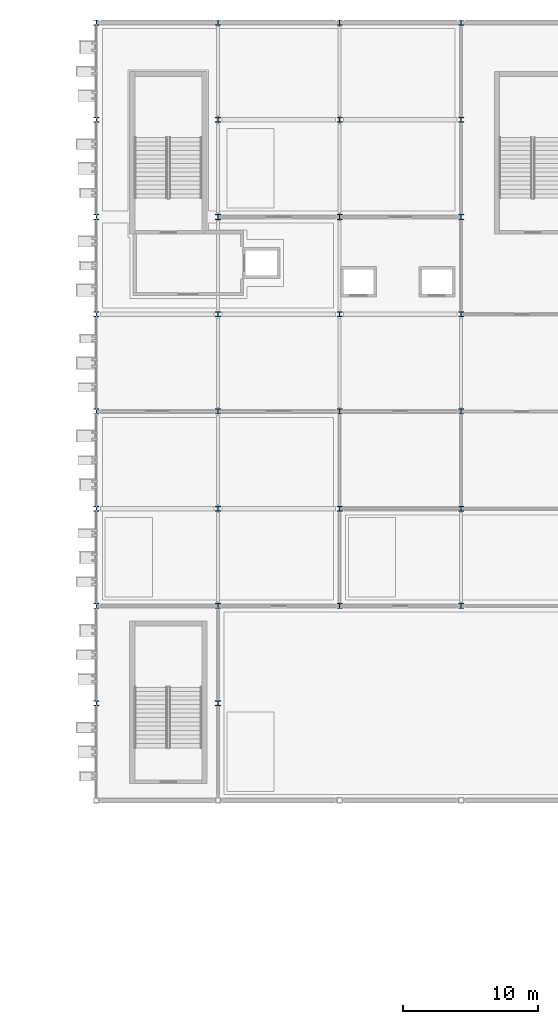
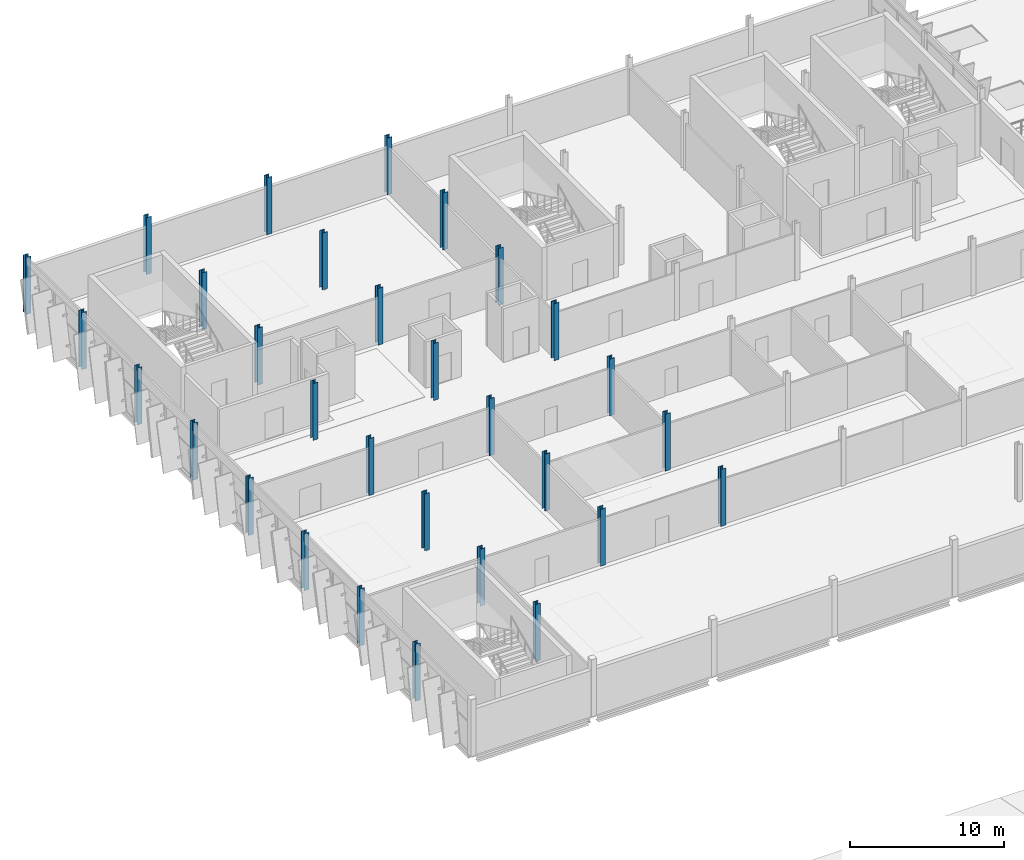
# One storey, part 3 of 78: 30 columns.
"""IFC4 building model written with IfcOpenShell, lengths in metres."""

from ifc_helpers import new_model, si_unit, direction, frame, origin, origin_2d, place, context, subcontext, project, spatial, i_section, extrude, material, material_profile, profile_set, type_object, element, save


model = new_model("IFC4")

# Units and contexts
model_context = context("Model", 3, precision=1e-05, world=origin(), true_north=direction((0.0, 1.0)))
body_context = subcontext(model_context, "Body", "Model", "MODEL_VIEW")
ifc_project = project(units=[si_unit("LENGTHUNIT", "METRE"), si_unit("AREAUNIT", "SQUARE_METRE"), si_unit("VOLUMEUNIT", "CUBIC_METRE"), si_unit("PLANEANGLEUNIT", "RADIAN"), si_unit("MASSUNIT", "GRAM", prefix="KILO")], contexts=[model_context])

# Site, building, storey
site_placement = place(None, origin())
site = spatial("IfcSite", under=ifc_project, at=site_placement, CompositionType="ELEMENT")
building_placement = place(site_placement, origin())
building = spatial("IfcBuilding", under=site, at=building_placement, Name="Celestram Park Convention Centre", CompositionType="ELEMENT")
storey_placement = place(building_placement, frame((0.0, 0.0, 19.800048828125)))
storey = spatial("IfcBuildingStorey", under=building, at=storey_placement, Name="L04", CompositionType="ELEMENT", Elevation=19.800048828125)

# Columns
ifc_material = material(Name="Steel ASTM A992 Grade 50", Category="steel")
ifc_material_profile = material_profile(ifc_material, i_section(OverallWidth=0.373046875, OverallDepth=0.373046875, WebThickness=0.016357421875, FlangeThickness=0.026123046875, at=origin_2d()), Name="W14X132")
ifc_profile_set = profile_set([ifc_material_profile], Name="Steel ASTM A992 Grade 50")
column_type = type_object("IfcColumnType", Name="STR-COL-W14X132", PredefinedType="COLUMN", material=ifc_profile_set)
for number, where, z_axis, x_axis, name in (
    (1, (36.0, 115.199951171875, 0.0), (0.0, 0.0, 1.0), (1.0, 0.0, 0.0), "Column CN-L04-002"),
    (2, (36.0, 122.39990234375, 0.0), (0.0, 0.0, 1.0), (1.0, 0.0, 0.0), "Column CN-L04-003"),
    (3, (36.0, 129.60009765625, 0.0), (0.0, 0.0, 1.0), (1.0, 0.0, 0.0), "Column CN-L04-004"),
    (4, (36.0, 136.800048828125, 0.0), (0.0, 0.0, 1.0), (1.0, 0.0, 0.0), "Column CN-L04-005"),
    (5, (36.0, 144.0, 0.0), (0.0, 0.0, 1.0), (1.0, 0.0, 0.0), "Column CN-L04-006"),
    (6, (36.0, 151.199951171875, 0.0), (0.0, 0.0, 1.0), (1.0, 0.0, 0.0), "Column CN-L04-007"),
    (7, (36.0, 158.39990234375, 0.0), (0.0, 0.0, 1.0), (1.0, 0.0, 0.0), "Column CN-L04-008"),
    (8, (36.0, 165.60009765625, 0.0), (0.0, 0.0, 1.0), (1.0, 0.0, 0.0), "Column CN-L04-009"),
    (9, (45.0, 115.199951171875, 0.0), (0.0, 0.0, 1.0), (1.0, 0.0, 0.0), "Column CN-L04-011"),
    (10, (45.0, 122.39990234375, 0.0), (0.0, 0.0, 1.0), (1.0, 0.0, 0.0), "Column CN-L04-012"),
    (11, (45.0, 129.60009765625, 0.0), (0.0, 0.0, 1.0), (1.0, 0.0, 0.0), "Column CN-L04-013"),
    (12, (45.0, 136.800048828125, 0.0), (0.0, 0.0, 1.0), (1.0, 0.0, 0.0), "Column CN-L04-014"),
    (13, (45.0, 144.0, 0.0), (0.0, 0.0, 1.0), (1.0, 0.0, 0.0), "Column CN-L04-015"),
    (14, (45.0, 151.199951171875, 0.0), (0.0, 0.0, 1.0), (1.0, 0.0, 0.0), "Column CN-L04-016"),
    (15, (45.0, 158.39990234375, 0.0), (0.0, 0.0, 1.0), (1.0, 0.0, 0.0), "Column CN-L04-017"),
    (16, (45.0, 165.60009765625, 0.0), (0.0, 0.0, 1.0), (1.0, 0.0, 0.0), "Column CN-L04-018"),
    (17, (54.0, 122.39990234375, 0.0), (0.0, 0.0, 1.0), (1.0, 0.0, 0.0), "Column CN-L04-020"),
    (18, (54.0, 129.60009765625, 0.0), (0.0, 0.0, 1.0), (1.0, 0.0, 0.0), "Column CN-L04-021"),
    (19, (54.0, 136.800048828125, 0.0), (0.0, 0.0, 1.0), (1.0, 0.0, 0.0), "Column CN-L04-022"),
    (20, (54.0, 144.0, 0.0), (0.0, 0.0, 1.0), (1.0, 0.0, 0.0), "Column CN-L04-023"),
    (21, (54.0, 151.199951171875, 0.0), (0.0, 0.0, 1.0), (1.0, 0.0, 0.0), "Column CN-L04-024"),
    (22, (54.0, 158.39990234375, 0.0), (0.0, 0.0, 1.0), (1.0, 0.0, 0.0), "Column CN-L04-025"),
    (23, (54.0, 165.60009765625, 0.0), (0.0, 0.0, 1.0), (1.0, 0.0, 0.0), "Column CN-L04-026"),
    (24, (63.0, 122.39990234375, 0.0), (0.0, 0.0, 1.0), (1.0, 0.0, 0.0), "Column CN-L04-028"),
    (25, (63.0, 129.60009765625, 0.0), (0.0, 0.0, 1.0), (1.0, 0.0, 0.0), "Column CN-L04-029"),
    (26, (63.0, 136.800048828125, 0.0), (0.0, 0.0, 1.0), (1.0, 0.0, 0.0), "Column CN-L04-030"),
    (27, (63.0, 144.0, 0.0), (0.0, 0.0, 1.0), (1.0, 0.0, 0.0), "Column CN-L04-031"),
    (28, (63.0, 151.199951171875, 0.0), (0.0, 0.0, 1.0), (1.0, 0.0, 0.0), "Column CN-L04-032"),
    (29, (63.0, 158.39990234375, 0.0), (0.0, 0.0, 1.0), (1.0, 0.0, 0.0), "Column CN-L04-033"),
    (30, (63.0, 165.60009765625, 0.0), (0.0, 0.0, 1.0), (1.0, 0.0, 0.0), "Column CN-L04-034"),
):
    element("IfcColumn", number, at=place(storey_placement, frame(where, z_axis=z_axis, x_axis=x_axis)), inside=storey, type_object=column_type, Name=name, PredefinedType="COLUMN", context=body_context, shape_type="SweptSolid", body=[
        extrude(i_section(OverallWidth=0.373046875, OverallDepth=0.373046875, WebThickness=0.016357421875, FlangeThickness=0.026123046875, at=origin_2d()), origin(), (0.0, 0.0, 1.0), 4.5),
    ])

save(model, "model.ifc")
